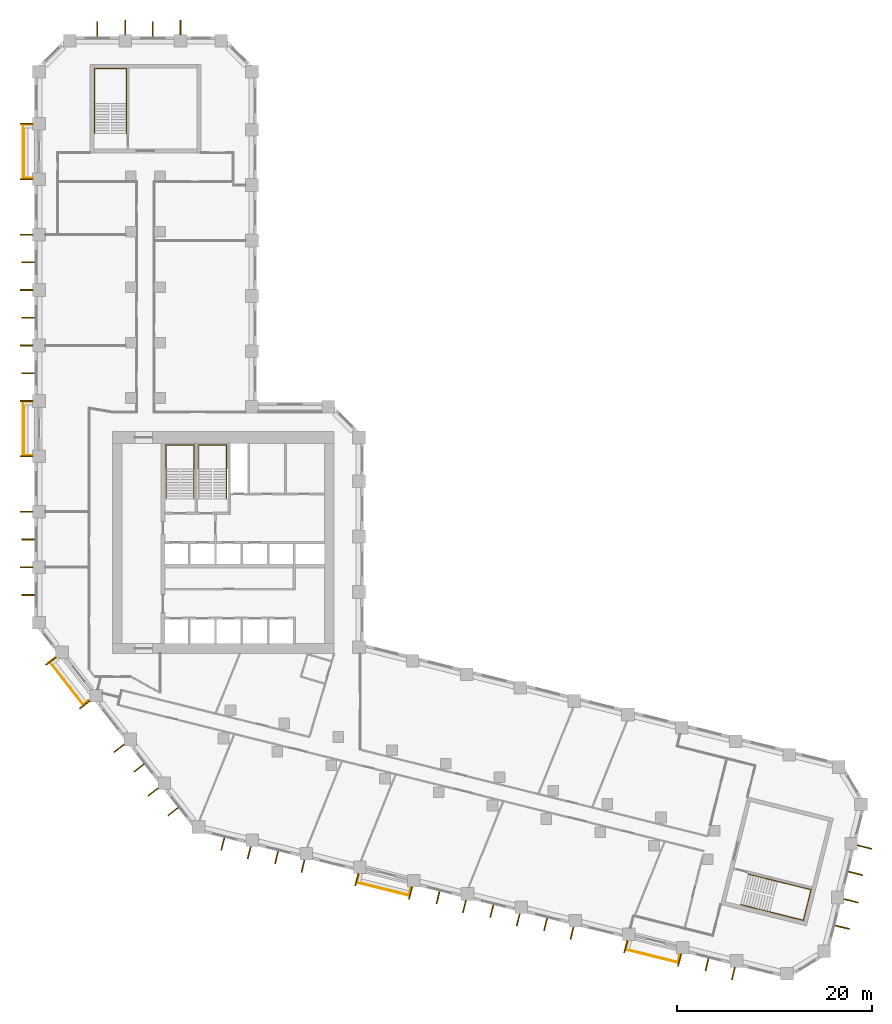
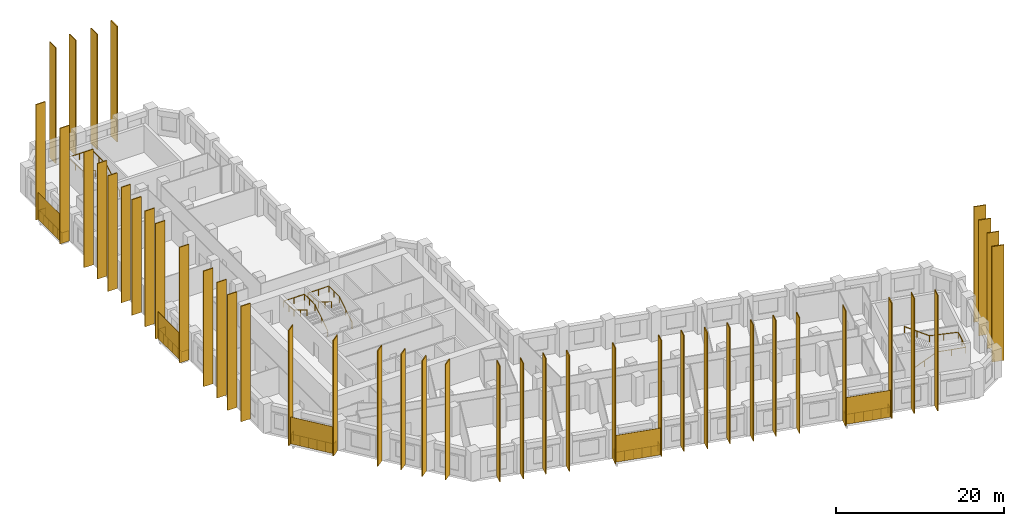
# One storey, part 10 of 10: 49 shading devices, 9 railings.
"""IFC4 building model written with IfcOpenShell, lengths in metres."""

import ifcopenshell
import ifcopenshell.guid

model = None  # the IFC model being written
_history = None  # IfcOwnerHistory: only IFC2X3 demands one
_inside = {}  # id of a spatial element -> (the spatial element, [elements in it])
_under = {}  # id of a project, library or spatial element -> (it, [spatial elements below it])
_declared = {}  # id of a project -> (the project, [libraries it declares])
_typed = {}  # id of a type object -> (the type object, [elements of that type])
_made_of = {}  # id of a material, layer set ... -> (it, [elements and type objects made of it])


def new_model(schema):
    """Start an empty IFC model of exactly this schema.

    Asked for "IFC4X3", IfcOpenShell would pick the latest addendum, in which some entities
    have other attributes; the version numbers below select the first issue.
    IFC2X3 requires an IfcOwnerHistory on every rooted entity: one is made here for all.
    """
    global model, _history
    if schema == "IFC4X3":
        model = ifcopenshell.file(schema_version=(4, 3, 0, 0))
    else:
        model = ifcopenshell.file(schema=schema)
    _inside.clear()
    _under.clear()
    _declared.clear()
    _typed.clear()
    _made_of.clear()
    _history = None
    if model.schema == "IFC2X3":
        org = make("IfcOrganization", Name="unknown")
        user = make(
            "IfcPersonAndOrganization",
            ThePerson=make("IfcPerson", FamilyName="unknown"),
            TheOrganization=org,
        )
        app = make(
            "IfcApplication",
            ApplicationDeveloper=org,
            Version="unknown",
            ApplicationFullName="unknown",
            ApplicationIdentifier="unknown",
        )
        _history = make(
            "IfcOwnerHistory",
            OwningUser=user,
            OwningApplication=app,
            ChangeAction="ADDED",
            CreationDate=0,
        )
    return model


def make(cls, **values):
    """One entity of the class cls with the attributes given. An attribute that is None is left unset."""
    return model.create_entity(
        cls, **{name: value for name, value in values.items() if value is not None}
    )


def rooted(cls, **values):
    """An entity with a GlobalId (a new one), such as an element, a storey or a relation."""
    return make(cls, GlobalId=ifcopenshell.guid.new(), OwnerHistory=_history, **values)


def si_unit(unit_type, name, prefix=None):
    """IfcSIUnit, for example si_unit("LENGTHUNIT", "METRE", prefix="MILLI")."""
    return make("IfcSIUnit", UnitType=unit_type, Prefix=prefix, Name=name)


def assignment(units):
    """IfcUnitAssignment: the units of a project."""
    return None if units is None else make("IfcUnitAssignment", Units=units)


def point(xyz):
    """IfcCartesianPoint."""
    return None if xyz is None else make("IfcCartesianPoint", Coordinates=xyz)


def direction(xyz):
    """IfcDirection."""
    return None if xyz is None else make("IfcDirection", DirectionRatios=xyz)


def frame(location, z_axis=None, x_axis=None):
    """IfcAxis2Placement3D, a coordinate frame: its origin and axes. An axis left out is left unset."""
    return make(
        "IfcAxis2Placement3D",
        Location=point(location),
        Axis=direction(z_axis),
        RefDirection=direction(x_axis),
    )


def frame_2d(location, x_axis=None):
    """IfcAxis2Placement2D, a coordinate frame in the plane: its origin and x axis."""
    return make(
        "IfcAxis2Placement2D", Location=point(location), RefDirection=direction(x_axis)
    )


def origin():
    """The frame at (0, 0, 0) with its axes left unset."""
    return frame((0.0, 0.0, 0.0))


def origin_2d():
    """The frame at (0, 0) in the plane with its x axis left unset."""
    return frame_2d((0.0, 0.0))


def place(relative_to, where):
    """IfcLocalPlacement: puts the frame where relative to a parent placement (None: the world)."""
    return make(
        "IfcLocalPlacement", PlacementRelTo=relative_to, RelativePlacement=where
    )


def context(
    kind, dimensions, precision=None, world=None, true_north=None, identifier=None
):
    """IfcGeometricRepresentationContext, for example the 3D "Model" context."""
    return make(
        "IfcGeometricRepresentationContext",
        ContextIdentifier=identifier,
        ContextType=kind,
        CoordinateSpaceDimension=dimensions,
        Precision=precision,
        WorldCoordinateSystem=world,
        TrueNorth=true_north,
    )


def subcontext(parent, identifier, kind, view, scale=None):
    """IfcGeometricRepresentationSubContext, for example "Body" below "Model"."""
    return make(
        "IfcGeometricRepresentationSubContext",
        ContextIdentifier=identifier,
        ContextType=kind,
        ParentContext=parent,
        TargetScale=scale,
        TargetView=view,
    )


def project(units=None, contexts=None):
    """IfcProject with its units and contexts."""
    return rooted(
        "IfcProject",
        Name="project",
        RepresentationContexts=contexts,
        UnitsInContext=assignment(units),
    )


def spatial(cls, under=None, at=None, **own):
    """A site, building, storey or space (cls), placed at a placement, below another one or the project."""
    s = rooted(cls, ObjectPlacement=at, **own)
    if under is not None:
        _under.setdefault(under.id(), (under, []))[1].append(s)
    return s


def profile(cls, at=None, kind="AREA", **sizes):
    """A parametric profile (cls). Its sizes go by their IFC names, for example OverallWidth=200.0."""
    return make(cls, ProfileType=kind, Position=at, **sizes)


def rectangle(**sizes):
    """IfcRectangleProfileDef."""
    return profile("IfcRectangleProfileDef", **sizes)


def circle(**sizes):
    """IfcCircleProfileDef."""
    return profile("IfcCircleProfileDef", **sizes)


def extrude(swept, where, along, depth):
    """IfcExtrudedAreaSolid: the profile swept, set in the frame where, extruded along a direction by depth."""
    return make(
        "IfcExtrudedAreaSolid",
        SweptArea=swept,
        Position=where,
        ExtrudedDirection=direction(along),
        Depth=depth,
    )


def shape(context_of_items, identifier, shape_type, items):
    """IfcShapeRepresentation: the items that make up one representation, for example the "Body"."""
    return make(
        "IfcShapeRepresentation",
        ContextOfItems=context_of_items,
        RepresentationIdentifier=identifier,
        RepresentationType=shape_type,
        Items=items,
    )


def material(Name=None, Category=None):
    """IfcMaterial."""
    return make("IfcMaterial", Name=Name, Category=Category)


def layer(
    of_material, thickness, ventilated=None, Name=None, Category=None, Priority=None
):
    """IfcMaterialLayer: one layer of a wall or slab, of a material (None: an air gap)."""
    return make(
        "IfcMaterialLayer",
        Material=of_material,
        LayerThickness=thickness,
        IsVentilated=ventilated,
        Name=Name,
        Category=Category,
        Priority=Priority,
    )


def layer_set(layers, Name=None):
    """IfcMaterialLayerSet."""
    return make("IfcMaterialLayerSet", MaterialLayers=layers, LayerSetName=Name)


def made_of(thing, what):
    """Note that an element or type object is made of a material, layer set ...; save() writes the relation."""
    if what is not None:
        _made_of.setdefault(what.id(), (what, []))[1].append(thing)
    return thing


def type_object(cls, material=None, **own):
    """A type object (cls), such as IfcWallType, which elements share."""
    return made_of(rooted(cls, **own), material)


def element(
    cls,
    number,
    at=None,
    inside=None,
    cuts=None,
    type_object=None,
    material=None,
    context=None,
    identifier="Body",
    shape_type=None,
    held_by="IfcProductDefinitionShape",
    body=None,
    shapes=None,
    **own,
):
    """One element of the class cls, such as IfcWall. Its Tag is "e" and its number.

    at: its placement. inside: the storey or other place that contains it. cuts: it is an
    opening in that element (IfcRelVoidsElement). A single representation is given by context,
    identifier, shape_type and body (its items); several are given by shapes. held_by: the class
    of the entity that holds the representations. save() writes the other relations.
    """
    e = rooted(cls, Tag="e%d" % number, ObjectPlacement=at, **own)
    if body is not None:
        shapes = [shape(context, identifier, shape_type, body)]
    if shapes is not None:
        e.Representation = make(held_by, Representations=shapes)
    if inside is not None:
        _inside.setdefault(inside.id(), (inside, []))[1].append(e)
    if cuts is not None:
        rooted(
            "IfcRelVoidsElement", RelatingBuildingElement=cuts, RelatedOpeningElement=e
        )
    if type_object is not None:
        _typed.setdefault(type_object.id(), (type_object, []))[1].append(e)
    return made_of(e, material)


def aggregate(whole, parts):
    """IfcRelAggregates: a whole, such as a stair, and the parts it consists of."""
    return rooted("IfcRelAggregates", RelatingObject=whole, RelatedObjects=parts)


def save(model, path):
    """Write the relations noted so far, then the file.

    IfcRelAggregates (storeys below a building ...), IfcRelContainedInSpatialStructure (elements
    in a storey), IfcRelDefinesByType, IfcRelAssociatesMaterial and IfcRelDeclares: one each for
    every whole, place, type object, material and project.
    """
    for whole, parts in _under.values():
        aggregate(whole, parts)
    for where, things in _inside.values():
        rooted(
            "IfcRelContainedInSpatialStructure",
            RelatedElements=things,
            RelatingStructure=where,
        )
    for kind, things in _typed.values():
        rooted("IfcRelDefinesByType", RelatedObjects=things, RelatingType=kind)
    for what, things in _made_of.values():
        rooted("IfcRelAssociatesMaterial", RelatedObjects=things, RelatingMaterial=what)
    for by, libraries in _declared.values():
        rooted("IfcRelDeclares", RelatingContext=by, RelatedDefinitions=libraries)
    model.write(path)


model = new_model("IFC4")

# Units and contexts
model_context = context("Model", 3, precision=1e-05, world=origin(), true_north=direction((0.0, 1.0)))
body_context = subcontext(model_context, "Body", "Model", "MODEL_VIEW")
ifc_project = project(units=[si_unit("LENGTHUNIT", "METRE"), si_unit("AREAUNIT", "SQUARE_METRE"), si_unit("VOLUMEUNIT", "CUBIC_METRE"), si_unit("PLANEANGLEUNIT", "RADIAN"), si_unit("MASSUNIT", "GRAM", prefix="KILO")], contexts=[model_context])

# Site, building, storey
site_placement = place(None, origin())
site = spatial("IfcSite", under=ifc_project, at=site_placement, CompositionType="ELEMENT")
building_placement = place(site_placement, origin())
building = spatial("IfcBuilding", under=site, at=building_placement, Name="Meshkara Civic Tower", CompositionType="ELEMENT")
storey_placement = place(building_placement, frame((0.0, 0.0, 130.800048828125)))
storey = spatial("IfcBuildingStorey", under=building, at=storey_placement, Name="L29", CompositionType="ELEMENT", Elevation=130.800048828125)

# Railings
ifc_material_1 = material(Name="Steel S355", Category="steel")
railing_type_1 = type_object("IfcRailingType", Name="BALUSTRADE GUARD 1400", PredefinedType="BALUSTRADE", material=ifc_material_1)
for number, where, name in (
    (1, (-0.199951171875, 68.43505859375, 0.0), "Balcony guard"),
    (2, (-0.199951171875, 39.93505859375, 0.0), "Balcony guard"),
):
    element("IfcRailing", number, at=place(storey_placement, frame(where)), inside=storey, type_object=railing_type_1, Name=name, PredefinedType="BALUSTRADE", context=body_context, shape_type="SweptSolid", body=[
        extrude(circle(Radius=0.02392578125, at=origin_2d()), frame((0.0, 0.0, 1.3759765625), z_axis=(-1.0, 0.0, 0.0), x_axis=(0.0, -1.0, 0.0)), (0.0, 0.0, 1.0), 0.91015625),
        extrude(circle(Radius=0.02392578125, at=origin_2d()), frame((-0.91015625, 0.0, 1.3759765625), z_axis=(0.0, -1.0, 0.0), x_axis=(1.0, 0.0, 0.0)), (0.0, 0.0, 1.0), 5.4599609375),
        extrude(circle(Radius=0.02392578125, at=origin_2d()), frame((-0.91015625, -5.4599609375, 1.3759765625), z_axis=(1.0, 0.0, 0.0), x_axis=(0.0, 1.0, 0.0)), (0.0, 0.0, 1.0), 0.91015625),
        extrude(circle(Radius=0.02099609375, at=origin_2d()), origin(), (0.0, 0.0, 1.0), 1.351806640625),
        extrude(circle(Radius=0.02099609375, at=origin_2d()), frame((-0.91015625, 0.0, 0.0)), (0.0, 0.0, 1.0), 1.351806640625),
        extrude(circle(Radius=0.02099609375, at=origin_2d()), frame((-0.91015625, -1.092041015625, 0.0)), (0.0, 0.0, 1.0), 1.351806640625),
        extrude(circle(Radius=0.02099609375, at=origin_2d()), frame((-0.91015625, -2.18408203125, 0.0)), (0.0, 0.0, 1.0), 1.351806640625),
        extrude(circle(Radius=0.02099609375, at=origin_2d()), frame((-0.91015625, -3.27587890625, 0.0)), (0.0, 0.0, 1.0), 1.351806640625),
        extrude(circle(Radius=0.02099609375, at=origin_2d()), frame((-0.91015625, -4.367919921875, 0.0)), (0.0, 0.0, 1.0), 1.351806640625),
        extrude(circle(Radius=0.02099609375, at=origin_2d()), frame((-0.91015625, -5.4599609375, 0.0)), (0.0, 0.0, 1.0), 1.351806640625),
        extrude(circle(Radius=0.02099609375, at=origin_2d()), frame((0.0, -5.4599609375, 0.0)), (0.0, 0.0, 1.0), 1.351806640625),
    ])
railing_1_placement = place(storey_placement, frame((2.1689453125, 13.572998046875, 0.0)))
element("IfcRailing", 3, at=railing_1_placement, inside=storey, type_object=railing_type_1, Name="Balcony guard", PredefinedType="BALUSTRADE", context=body_context, shape_type="SweptSolid", body=[
    extrude(circle(Radius=0.02392578125, at=origin_2d()), frame((0.0, 0.0, 1.3759765625), z_axis=(-0.787664106231, -0.616104906453, 0.0), x_axis=(0.616104906453, -0.787664106231, 0.0)), (0.0, 0.0, 1.0), 0.6474609375),
    extrude(circle(Radius=0.02392578125, at=origin_2d()), frame((-0.510009765625, -0.39892578125, 1.3759765625), z_axis=(0.615573755741, -0.788079279795, 0.0), x_axis=(0.788079279795, 0.615573755741, 0.0)), (0.0, 0.0, 1.0), 5.460205078125),
    extrude(circle(Radius=0.02392578125, at=origin_2d()), frame((2.85107421875, -4.701904296875, 1.3759765625), z_axis=(0.788235582762, 0.615373598774, 0.0), x_axis=(-0.615373598774, 0.788235582762, 0.0)), (0.0, 0.0, 1.0), 0.648193359375),
    extrude(circle(Radius=0.02099609375, at=origin_2d()), origin(), (0.0, 0.0, 1.0), 1.351806640625),
    extrude(circle(Radius=0.02099609375, at=origin_2d()), frame((-0.510009765625, -0.39892578125, 0.0)), (0.0, 0.0, 1.0), 1.351806640625),
    extrude(circle(Radius=0.02099609375, at=origin_2d()), frame((0.162109375, -1.259521484375, 0.0)), (0.0, 0.0, 1.0), 1.351806640625),
    extrude(circle(Radius=0.02099609375, at=origin_2d()), frame((0.83447265625, -2.1201171875, 0.0)), (0.0, 0.0, 1.0), 1.351806640625),
    extrude(circle(Radius=0.02099609375, at=origin_2d()), frame((1.506591796875, -2.980712890625, 0.0)), (0.0, 0.0, 1.0), 1.351806640625),
    extrude(circle(Radius=0.02099609375, at=origin_2d()), frame((2.178955078125, -3.84130859375, 0.0)), (0.0, 0.0, 1.0), 1.351806640625),
    extrude(circle(Radius=0.02099609375, at=origin_2d()), frame((2.85107421875, -4.701904296875, 0.0)), (0.0, 0.0, 1.0), 1.351806640625),
    extrude(circle(Radius=0.02099609375, at=origin_2d()), frame((3.362060546875, -4.302978515625, 0.0)), (0.0, 0.0, 1.0), 1.351806640625),
])
railing_2_placement = place(storey_placement, frame((33.368896484375, -8.66796875, 0.0)))
element("IfcRailing", 4, at=railing_2_placement, inside=storey, type_object=railing_type_1, Name="Balcony guard", PredefinedType="BALUSTRADE", context=body_context, shape_type="SweptSolid", body=[
    extrude(circle(Radius=0.02392578125, at=origin_2d()), frame((0.0, 0.0, 1.3759765625), z_axis=(-0.242237978263, -0.970216863329, 0.0), x_axis=(0.970216863329, -0.242237978263, 0.0)), (0.0, 0.0, 1.0), 0.77197265625),
    extrude(circle(Radius=0.02392578125, at=origin_2d()), frame((-0.18701171875, -0.7490234375, 1.3759765625), z_axis=(0.970292231073, -0.24193591366, 0.0), x_axis=(0.24193591366, 0.970292231073, 0.0)), (0.0, 0.0, 1.0), 5.460205078125),
    extrude(circle(Radius=0.02392578125, at=origin_2d()), frame((5.111083984375, -2.070068359375, 1.3759765625), z_axis=(0.242237978263, 0.970216863329, 0.0), x_axis=(-0.970216863329, 0.242237978263, 0.0)), (0.0, 0.0, 1.0), 0.77197265625),
    extrude(circle(Radius=0.02099609375, at=origin_2d()), origin(), (0.0, 0.0, 1.0), 1.351806640625),
    extrude(circle(Radius=0.02099609375, at=origin_2d()), frame((-0.18701171875, -0.7490234375, 0.0)), (0.0, 0.0, 1.0), 1.351806640625),
    extrude(circle(Radius=0.02099609375, at=origin_2d()), frame((0.87255859375, -1.01318359375, 0.0)), (0.0, 0.0, 1.0), 1.351806640625),
    extrude(circle(Radius=0.02099609375, at=origin_2d()), frame((1.93212890625, -1.27734375, 0.0)), (0.0, 0.0, 1.0), 1.351806640625),
    extrude(circle(Radius=0.02099609375, at=origin_2d()), frame((2.991943359375, -1.541748046875, 0.0)), (0.0, 0.0, 1.0), 1.351806640625),
    extrude(circle(Radius=0.02099609375, at=origin_2d()), frame((4.051513671875, -1.805908203125, 0.0)), (0.0, 0.0, 1.0), 1.351806640625),
    extrude(circle(Radius=0.02099609375, at=origin_2d()), frame((5.111083984375, -2.070068359375, 0.0)), (0.0, 0.0, 1.0), 1.351806640625),
    extrude(circle(Radius=0.02099609375, at=origin_2d()), frame((5.298095703125, -1.321044921875, 0.0)), (0.0, 0.0, 1.0), 1.351806640625),
])
railing_3_placement = place(storey_placement, frame((61.02294921875, -15.56298828125, 0.0)))
element("IfcRailing", 5, at=railing_3_placement, inside=storey, type_object=railing_type_1, Name="Balcony guard", PredefinedType="BALUSTRADE", context=body_context, shape_type="SweptSolid", body=[
    extrude(circle(Radius=0.02392578125, at=origin_2d()), frame((0.0, 0.0, 1.3759765625), z_axis=(-0.242237978263, -0.970216863329, 0.0), x_axis=(0.970216863329, -0.242237978263, 0.0)), (0.0, 0.0, 1.0), 0.77197265625),
    extrude(circle(Radius=0.02392578125, at=origin_2d()), frame((-0.18701171875, -0.7490234375, 1.3759765625), z_axis=(0.970323745377, -0.241809489388, 0.0), x_axis=(0.241809489388, 0.970323745377, 0.0)), (0.0, 0.0, 1.0), 5.459228515625),
    extrude(circle(Radius=0.02392578125, at=origin_2d()), frame((5.110107421875, -2.069091796875, 1.3759765625), z_axis=(0.242237978263, 0.970216863329, 0.0), x_axis=(-0.970216863329, 0.242237978263, 0.0)), (0.0, 0.0, 1.0), 0.77197265625),
    extrude(circle(Radius=0.02099609375, at=origin_2d()), origin(), (0.0, 0.0, 1.0), 1.351806640625),
    extrude(circle(Radius=0.02099609375, at=origin_2d()), frame((-0.18701171875, -0.7490234375, 0.0)), (0.0, 0.0, 1.0), 1.351806640625),
    extrude(circle(Radius=0.02099609375, at=origin_2d()), frame((0.872314453125, -1.012939453125, 0.0)), (0.0, 0.0, 1.0), 1.351806640625),
    extrude(circle(Radius=0.02099609375, at=origin_2d()), frame((1.931884765625, -1.277099609375, 0.0)), (0.0, 0.0, 1.0), 1.351806640625),
    extrude(circle(Radius=0.02099609375, at=origin_2d()), frame((2.9912109375, -1.541015625, 0.0)), (0.0, 0.0, 1.0), 1.351806640625),
    extrude(circle(Radius=0.02099609375, at=origin_2d()), frame((4.05078125, -1.80517578125, 0.0)), (0.0, 0.0, 1.0), 1.351806640625),
    extrude(circle(Radius=0.02099609375, at=origin_2d()), frame((5.110107421875, -2.069091796875, 0.0)), (0.0, 0.0, 1.0), 1.351806640625),
    extrude(circle(Radius=0.02099609375, at=origin_2d()), frame((5.297119140625, -1.320068359375, 0.0)), (0.0, 0.0, 1.0), 1.351806640625),
])

# Shading devices
ifc_material_2 = material(Name="Bronze anodised aluminium", Category="aluminium")
ifc_layer_1 = layer(ifc_material_2, 0.1201171875)
ifc_layer_set_1 = layer_set([ifc_layer_1], Name="BRONZE FIN 1300")
shading_device_type_1 = type_object("IfcShadingDeviceType", Name="BRONZE FIN 1300", PredefinedType="USERDEFINED", material=ifc_layer_set_1)
for number, where, z_axis, x_axis, name in (
    (6, (-0.85009765625, 68.554931640625, 0.0), (0.0, 0.0, 1.0), (0.0, -1.0, 0.0), "Fin"),
    (7, (-0.85009765625, 62.85498046875, 0.0), (0.0, 0.0, 1.0), (0.0, -1.0, 0.0), "Fin"),
    (8, (-0.85009765625, 57.155029296875, 0.0), (0.0, 0.0, 1.0), (0.0, -1.0, 0.0), "Fin"),
    (9, (-0.64990234375, 54.304931640625, 0.0), (0.0, 0.0, 1.0), (0.0, -1.0, 0.0), "Fin"),
    (10, (-0.85009765625, 51.455078125, 0.0), (0.0, 0.0, 1.0), (0.0, -1.0, 0.0), "Fin"),
    (11, (-0.64990234375, 48.60498046875, 0.0), (0.0, 0.0, 1.0), (0.0, -1.0, 0.0), "Fin"),
    (12, (-0.85009765625, 45.7548828125, 0.0), (0.0, 0.0, 1.0), (0.0, -1.0, 0.0), "Fin"),
    (13, (-0.64990234375, 42.905029296875, 0.0), (0.0, 0.0, 1.0), (0.0, -1.0, 0.0), "Fin"),
    (14, (-0.85009765625, 40.054931640625, 0.0), (0.0, 0.0, 1.0), (0.0, -1.0, 0.0), "Fin"),
    (15, (-0.85009765625, 34.35498046875, 0.0), (0.0, 0.0, 1.0), (0.0, -1.0, 0.0), "Fin"),
    (16, (-0.85009765625, 28.655029296875, 0.0), (0.0, 0.0, 1.0), (0.0, -1.0, 0.0), "Fin"),
    (17, (-0.64990234375, 25.804931640625, 0.0), (0.0, 0.0, 1.0), (0.0, -1.0, 0.0), "Fin"),
    (18, (-0.85009765625, 22.955078125, 0.0), (0.0, 0.0, 1.0), (0.0, -1.0, 0.0), "Fin"),
    (19, (-0.64990234375, 20.10498046875, 0.0), (0.0, 0.0, 1.0), (0.0, -1.0, 0.0), "Fin"),
    (20, (1.652099609375, 13.321044921875, 0.0), (0.0, 0.0, 1.0), (0.615661475326, -0.788010753607, 0.0), "Fin"),
    (21, (5.160888671875, 8.8291015625, 0.0), (0.0, 0.0, 1.0), (0.615661475326, -0.788010753607, 0.0), "Fin"),
    (22, (8.6708984375, 4.3369140625, 0.0), (0.0, 0.0, 1.0), (0.615661475326, -0.788010753607, 0.0), "Fin"),
    (23, (10.720947265625, 2.322021484375, 0.0), (0.0, 0.0, 1.0), (0.615661475326, -0.788010753607, 0.0), "Fin"),
    (24, (12.179931640625, -0.154052734375, 0.0), (0.0, 0.0, 1.0), (0.615661475326, -0.788010753607, 0.0), "Fin"),
    (25, (14.22998046875, -2.1689453125, 0.0), (0.0, 0.0, 1.0), (0.615661475326, -0.788010753607, 0.0), "Fin"),
    (26, (19.35009765625, -5.4951171875, 0.0), (0.0, 0.0, 1.0), (0.970299948462, -0.241904960708, 0.0), "Fin"),
    (27, (22.06298828125, -6.39794921875, 0.0), (0.0, 0.0, 1.0), (0.970299948462, -0.241904960708, 0.0), "Fin"),
    (28, (24.881103515625, -6.873046875, 0.0), (0.0, 0.0, 1.0), (0.970299948462, -0.241904960708, 0.0), "Fin"),
    (29, (27.593017578125, -7.777099609375, 0.0), (0.0, 0.0, 1.0), (0.970299948462, -0.241904960708, 0.0), "Fin"),
    (30, (33.1240234375, -9.156005859375, 0.0), (0.0, 0.0, 1.0), (0.970299948462, -0.241904960708, 0.0), "Fin"),
    (31, (38.655029296875, -10.533935546875, 0.0), (0.0, 0.0, 1.0), (0.970299948462, -0.241904960708, 0.0), "Fin"),
    (32, (41.472900390625, -11.010009765625, 0.0), (0.0, 0.0, 1.0), (0.970299948462, -0.241904960708, 0.0), "Fin"),
    (33, (44.18603515625, -11.9130859375, 0.0), (0.0, 0.0, 1.0), (0.970299948462, -0.241904960708, 0.0), "Fin"),
    (34, (47.00390625, -12.388916015625, 0.0), (0.0, 0.0, 1.0), (0.970299948462, -0.241904960708, 0.0), "Fin"),
    (35, (49.716064453125, -13.2919921875, 0.0), (0.0, 0.0, 1.0), (0.970299948462, -0.241904960708, 0.0), "Fin"),
    (36, (52.533935546875, -13.76806640625, 0.0), (0.0, 0.0, 1.0), (0.970299948462, -0.241904960708, 0.0), "Fin"),
    (37, (55.2470703125, -14.6708984375, 0.0), (0.0, 0.0, 1.0), (0.970299948462, -0.241904960708, 0.0), "Fin"),
    (38, (60.778076171875, -16.050048828125, 0.0), (0.0, 0.0, 1.0), (0.970299948462, -0.241904960708, 0.0), "Fin"),
    (39, (66.30810546875, -17.428955078125, 0.0), (0.0, 0.0, 1.0), (0.970299948462, -0.241904960708, 0.0), "Fin"),
    (40, (69.1259765625, -17.905029296875, 0.0), (0.0, 0.0, 1.0), (0.970299948462, -0.241904960708, 0.0), "Fin"),
    (41, (71.839111328125, -18.80810546875, 0.0), (0.0, 0.0, 1.0), (0.970299948462, -0.241904960708, 0.0), "Fin"),
):
    element("IfcShadingDevice", number, at=place(storey_placement, frame(where, z_axis=z_axis, x_axis=x_axis)), inside=storey, type_object=shading_device_type_1, Name=name, ObjectType="FIN", PredefinedType="USERDEFINED", context=body_context, shape_type="SweptSolid", body=[
        extrude(rectangle(XDim=0.1201171875, YDim=1.300048828125, at=origin_2d()), origin(), (0.0, 0.0, 1.0), 16.800048828125),
    ])
ifc_material_3 = material(Name="Bronze anodised aluminium", Category="aluminium")
ifc_layer_2 = layer(ifc_material_3, 0.1201171875)
ifc_layer_set_2 = layer_set([ifc_layer_2], Name="BRONZE FIN 1500")
shading_device_type_2 = type_object("IfcShadingDeviceType", Name="BRONZE FIN 1500", PredefinedType="USERDEFINED", material=ifc_layer_set_2)
for number, where, z_axis, x_axis, name in (
    (42, (15.006103515625, 78.469970703125, 0.0), (0.0, 0.0, 1.0), (-1.0, 0.0, 0.0), "Fin"),
    (43, (12.156005859375, 78.27001953125, 0.0), (0.0, 0.0, 1.0), (-1.0, 0.0, 0.0), "Fin"),
    (44, (9.305908203125, 78.469970703125, 0.0), (0.0, 0.0, 1.0), (-1.0, 0.0, 0.0), "Fin"),
    (45, (6.4560546875, 78.27001953125, 0.0), (0.0, 0.0, 1.0), (-1.0, 0.0, 0.0), "Fin"),
    (46, (83.037109375, -14.049072265625, 0.0), (0.0, 0.0, 1.0), (0.2419218956, 0.970295726276, 0.0), "Fin"),
    (47, (83.93994140625, -11.3359375, 0.0), (0.0, 0.0, 1.0), (0.2419218956, 0.970295726276, 0.0), "Fin"),
    (48, (84.416015625, -8.51806640625, 0.0), (0.0, 0.0, 1.0), (0.2419218956, 0.970295726276, 0.0), "Fin"),
    (49, (85.319091796875, -5.805908203125, 0.0), (0.0, 0.0, 1.0), (0.2419218956, 0.970295726276, 0.0), "Fin"),
):
    element("IfcShadingDevice", number, at=place(storey_placement, frame(where, z_axis=z_axis, x_axis=x_axis)), inside=storey, type_object=shading_device_type_2, Name=name, ObjectType="FIN", PredefinedType="USERDEFINED", context=body_context, shape_type="SweptSolid", body=[
        extrude(rectangle(XDim=0.1201171875, YDim=1.5, at=origin_2d()), origin(), (0.0, 0.0, 1.0), 16.800048828125),
    ])
ifc_material_4 = material(Name="Perforated bronze anodised aluminium sheet", Category="aluminium")
ifc_layer_3 = layer(ifc_material_4, 0.0400390625)
ifc_layer_set_3 = layer_set([ifc_layer_3], Name="PERFORATED BRONZE SCREEN")
shading_device_type_3 = type_object("IfcShadingDeviceType", Name="PERFORATED BRONZE SCREEN", PredefinedType="USERDEFINED", material=ifc_layer_set_3)
for number, where, z_axis, x_axis, name in (
    (50, (-1.179931640625, 65.705078125, 0.0), (0.0, 0.0, 1.0), (0.0, -1.0, 0.0), "Balcony screen"),
    (51, (-1.179931640625, 37.205078125, 0.0), (0.0, 0.0, 1.0), (0.0, -1.0, 0.0), "Balcony screen"),
    (52, (3.283935546875, 10.97998046875, 0.0), (0.0, 0.0, 1.0), (0.615661475326, -0.788010753607, 0.0), "Balcony screen"),
    (53, (35.81396484375, -10.14599609375, 0.0), (0.0, 0.0, 1.0), (0.970299948462, -0.241904960708, 0.0), "Balcony screen"),
):
    element("IfcShadingDevice", number, at=place(storey_placement, frame(where, z_axis=z_axis, x_axis=x_axis)), inside=storey, type_object=shading_device_type_3, Name=name, ObjectType="SCREEN", PredefinedType="USERDEFINED", context=body_context, shape_type="SweptSolid", body=[
        extrude(rectangle(XDim=5.580078125, YDim=0.0400390625, at=origin_2d()), origin(), (0.0, 0.0, 1.0), 3.89990234375),
    ])
shading_device_placement = place(storey_placement, frame((63.468017578125, -17.0400390625, 0.0), z_axis=(0.0, 0.0, 1.0), x_axis=(0.970299948462, -0.241904960708, 0.0)))
element("IfcShadingDevice", 54, at=shading_device_placement, inside=storey, type_object=shading_device_type_3, Name="Balcony screen", ObjectType="SCREEN", PredefinedType="USERDEFINED", context=body_context, shape_type="SweptSolid", body=[
    extrude(rectangle(XDim=5.5791015625, YDim=0.0400390625, at=origin_2d()), origin(), (0.0, 0.0, 1.0), 3.89990234375),
])

# Railings
ifc_material_5 = material(Name="Steel handrail", Category="steel")
railing_type_2 = type_object("IfcRailingType", Name="Stair handrail 900", PredefinedType="HANDRAIL", material=ifc_material_5)
railing_4_placement = place(storey_placement, frame((16.375, 30.0, 0.175048828125)))
element("IfcRailing", 55, at=railing_4_placement, inside=storey, type_object=railing_type_2, Name="L29 ST1 stair handrail 1", PredefinedType="HANDRAIL", context=body_context, shape_type="SweptSolid", body=[
    extrude(circle(Radius=0.02392578125, at=origin_2d()), frame((0.0, 0.0, 0.8759765625), z_axis=(0.0, 0.848028513186, 0.529950602248), x_axis=(-1.0, 0.0, 0.0)), (0.0, 0.0, 1.0), 3.632080078125),
    extrude(circle(Radius=0.02392578125, at=origin_2d()), frame((0.0, 3.080078125, 2.80078125), z_axis=(0.0, 1.0, 0.0), x_axis=(-1.0, 0.0, 0.0)), (0.0, 0.0, 1.0), 2.469970703125),
    extrude(circle(Radius=0.02392578125, at=origin_2d()), frame((0.0, 5.550048828125, 2.80078125), z_axis=(-1.0, 0.0, 0.0), x_axis=(0.0, -1.0, 0.0)), (0.0, 0.0, 1.0), 2.85009765625),
    extrude(circle(Radius=0.02392578125, at=origin_2d()), frame((-2.85009765625, 5.550048828125, 2.80078125), z_axis=(0.0, -0.997498084828, 0.070693498747), x_axis=(1.0, 0.0, 0.0)), (0.0, 0.0, 1.0), 2.47607421875),
    extrude(circle(Radius=0.02392578125, at=origin_2d()), frame((-2.85009765625, 3.080078125, 2.9755859375), z_axis=(0.0, -0.847998304005, 0.529998940003), x_axis=(1.0, 0.0, 0.0)), (0.0, 0.0, 1.0), 3.632080078125),
    extrude(circle(Radius=0.02099609375, at=origin_2d()), origin(), (0.0, 0.0, 1.0), 0.851806640625),
    extrude(circle(Radius=0.02099609375, at=origin_2d()), frame((0.0, 1.5400390625, 0.96240234375)), (0.0, 0.0, 1.0), 0.851806640625),
    extrude(circle(Radius=0.02099609375, at=origin_2d()), frame((0.0, 3.080078125, 1.9248046875)), (0.0, 0.0, 1.0), 0.851806640625),
    extrude(circle(Radius=0.02099609375, at=origin_2d()), frame((0.0, 4.31494140625, 1.9248046875)), (0.0, 0.0, 1.0), 0.851806640625),
    extrude(circle(Radius=0.02099609375, at=origin_2d()), frame((0.0, 5.550048828125, 1.9248046875)), (0.0, 0.0, 1.0), 0.851806640625),
    extrude(circle(Radius=0.02099609375, at=origin_2d()), frame((-1.425048828125, 5.550048828125, 1.9248046875)), (0.0, 0.0, 1.0), 0.851806640625),
    extrude(circle(Radius=0.02099609375, at=origin_2d()), frame((-2.85009765625, 5.550048828125, 1.9248046875)), (0.0, 0.0, 1.0), 0.851806640625),
    extrude(circle(Radius=0.02099609375, at=origin_2d()), frame((-2.85009765625, 4.31494140625, 2.01220703125)), (0.0, 0.0, 1.0), 0.851806640625),
    extrude(circle(Radius=0.02099609375, at=origin_2d()), frame((-2.85009765625, 3.080078125, 2.099853515625)), (0.0, 0.0, 1.0), 0.851806640625),
    extrude(circle(Radius=0.02099609375, at=origin_2d()), frame((-2.85009765625, 1.5400390625, 3.0625)), (0.0, 0.0, 1.0), 0.851806640625),
    extrude(circle(Radius=0.02099609375, at=origin_2d()), frame((-2.85009765625, 0.0, 4.02490234375)), (0.0, 0.0, 1.0), 0.851806640625),
])
railing_5_placement = place(storey_placement, frame((19.72509765625, 30.0, 0.175048828125)))
element("IfcRailing", 56, at=railing_5_placement, inside=storey, type_object=railing_type_2, Name="L29 ST2 stair handrail 1", PredefinedType="HANDRAIL", context=body_context, shape_type="SweptSolid", body=[
    extrude(circle(Radius=0.02392578125, at=origin_2d()), frame((0.0, 0.0, 0.8759765625), z_axis=(0.0, 0.848028513186, 0.529950602248), x_axis=(-1.0, 0.0, 0.0)), (0.0, 0.0, 1.0), 3.632080078125),
    extrude(circle(Radius=0.02392578125, at=origin_2d()), frame((0.0, 3.080078125, 2.80078125), z_axis=(0.0, 1.0, 0.0), x_axis=(-1.0, 0.0, 0.0)), (0.0, 0.0, 1.0), 2.469970703125),
    extrude(circle(Radius=0.02392578125, at=origin_2d()), frame((0.0, 5.550048828125, 2.80078125), z_axis=(-1.0, 0.0, 0.0), x_axis=(0.0, -1.0, 0.0)), (0.0, 0.0, 1.0), 2.85009765625),
    extrude(circle(Radius=0.02392578125, at=origin_2d()), frame((-2.85009765625, 5.550048828125, 2.80078125), z_axis=(0.0, -0.997498084828, 0.070693498747), x_axis=(1.0, 0.0, 0.0)), (0.0, 0.0, 1.0), 2.47607421875),
    extrude(circle(Radius=0.02392578125, at=origin_2d()), frame((-2.85009765625, 3.080078125, 2.9755859375), z_axis=(0.0, -0.847998304005, 0.529998940003), x_axis=(1.0, 0.0, 0.0)), (0.0, 0.0, 1.0), 3.632080078125),
    extrude(circle(Radius=0.02099609375, at=origin_2d()), origin(), (0.0, 0.0, 1.0), 0.851806640625),
    extrude(circle(Radius=0.02099609375, at=origin_2d()), frame((0.0, 1.5400390625, 0.96240234375)), (0.0, 0.0, 1.0), 0.851806640625),
    extrude(circle(Radius=0.02099609375, at=origin_2d()), frame((0.0, 3.080078125, 1.9248046875)), (0.0, 0.0, 1.0), 0.851806640625),
    extrude(circle(Radius=0.02099609375, at=origin_2d()), frame((0.0, 4.31494140625, 1.9248046875)), (0.0, 0.0, 1.0), 0.851806640625),
    extrude(circle(Radius=0.02099609375, at=origin_2d()), frame((0.0, 5.550048828125, 1.9248046875)), (0.0, 0.0, 1.0), 0.851806640625),
    extrude(circle(Radius=0.02099609375, at=origin_2d()), frame((-1.425048828125, 5.550048828125, 1.9248046875)), (0.0, 0.0, 1.0), 0.851806640625),
    extrude(circle(Radius=0.02099609375, at=origin_2d()), frame((-2.85009765625, 5.550048828125, 1.9248046875)), (0.0, 0.0, 1.0), 0.851806640625),
    extrude(circle(Radius=0.02099609375, at=origin_2d()), frame((-2.85009765625, 4.31494140625, 2.01220703125)), (0.0, 0.0, 1.0), 0.851806640625),
    extrude(circle(Radius=0.02099609375, at=origin_2d()), frame((-2.85009765625, 3.080078125, 2.099853515625)), (0.0, 0.0, 1.0), 0.851806640625),
    extrude(circle(Radius=0.02099609375, at=origin_2d()), frame((-2.85009765625, 1.5400390625, 3.0625)), (0.0, 0.0, 1.0), 0.851806640625),
    extrude(circle(Radius=0.02099609375, at=origin_2d()), frame((-2.85009765625, 0.0, 4.02490234375)), (0.0, 0.0, 1.0), 0.851806640625),
])
railing_6_placement = place(storey_placement, frame((9.425048828125, 67.570068359375, 0.175048828125)))
element("IfcRailing", 57, at=railing_6_placement, inside=storey, type_object=railing_type_2, Name="L29 ESA2 stair handrail 1", PredefinedType="HANDRAIL", context=body_context, shape_type="SweptSolid", body=[
    extrude(circle(Radius=0.02392578125, at=origin_2d()), frame((0.0, 0.0, 0.8759765625), z_axis=(0.0, 0.848009633417, 0.529980812513), x_axis=(-1.0, 0.0, 0.0)), (0.0, 0.0, 1.0), 3.6318359375),
    extrude(circle(Radius=0.02392578125, at=origin_2d()), frame((0.0, 3.079833984375, 2.80078125), z_axis=(0.0, 1.0, 0.0), x_axis=(-1.0, 0.0, 0.0)), (0.0, 0.0, 1.0), 3.570068359375),
    extrude(circle(Radius=0.02392578125, at=origin_2d()), frame((0.0, 6.64990234375, 2.80078125), z_axis=(-1.0, 0.0, 0.0), x_axis=(0.0, -1.0, 0.0)), (0.0, 0.0, 1.0), 3.25),
    extrude(circle(Radius=0.02392578125, at=origin_2d()), frame((-3.25, 6.64990234375, 2.80078125), z_axis=(0.0, -0.998800077689, 0.048973511297), x_axis=(1.0, 0.0, 0.0)), (0.0, 0.0, 1.0), 3.574462890625),
    extrude(circle(Radius=0.02392578125, at=origin_2d()), frame((-3.25, 3.079833984375, 2.9755859375), z_axis=(0.0, -0.847979421464, 0.530029150871), x_axis=(1.0, 0.0, 0.0)), (0.0, 0.0, 1.0), 3.632080078125),
    extrude(circle(Radius=0.02099609375, at=origin_2d()), origin(), (0.0, 0.0, 1.0), 0.851806640625),
    extrude(circle(Radius=0.02099609375, at=origin_2d()), frame((0.0, 1.5400390625, 0.96240234375)), (0.0, 0.0, 1.0), 0.851806640625),
    extrude(circle(Radius=0.02099609375, at=origin_2d()), frame((0.0, 3.079833984375, 1.9248046875)), (0.0, 0.0, 1.0), 0.851806640625),
    extrude(circle(Radius=0.02099609375, at=origin_2d()), frame((0.0, 4.86474609375, 1.9248046875)), (0.0, 0.0, 1.0), 0.851806640625),
    extrude(circle(Radius=0.02099609375, at=origin_2d()), frame((0.0, 6.64990234375, 1.9248046875)), (0.0, 0.0, 1.0), 0.851806640625),
    extrude(circle(Radius=0.02099609375, at=origin_2d()), frame((-1.625, 6.64990234375, 1.9248046875)), (0.0, 0.0, 1.0), 0.851806640625),
    extrude(circle(Radius=0.02099609375, at=origin_2d()), frame((-3.25, 6.64990234375, 1.9248046875)), (0.0, 0.0, 1.0), 0.851806640625),
    extrude(circle(Radius=0.02099609375, at=origin_2d()), frame((-3.25, 4.86474609375, 2.01220703125)), (0.0, 0.0, 1.0), 0.851806640625),
    extrude(circle(Radius=0.02099609375, at=origin_2d()), frame((-3.25, 3.079833984375, 2.099853515625)), (0.0, 0.0, 1.0), 0.851806640625),
    extrude(circle(Radius=0.02099609375, at=origin_2d()), frame((-3.25, 1.5400390625, 3.0625)), (0.0, 0.0, 1.0), 0.851806640625),
    extrude(circle(Radius=0.02099609375, at=origin_2d()), frame((-3.25, 0.0, 4.02490234375)), (0.0, 0.0, 1.0), 0.851806640625),
])
railing_7_placement = place(storey_placement, frame((72.587158203125, -11.73388671875, 0.175048828125)))
element("IfcRailing", 58, at=railing_7_placement, inside=storey, type_object=railing_type_2, Name="L29 ESB2 stair handrail 1", PredefinedType="HANDRAIL", context=body_context, shape_type="SweptSolid", body=[
    extrude(circle(Radius=0.02392578125, at=origin_2d()), frame((0.0, 0.0, 0.8759765625), z_axis=(0.822789566377, -0.205294063375, 0.529973279519), x_axis=(0.242087961707, 0.97025430625, 0.0)), (0.0, 0.0, 1.0), 3.6318359375),
    extrude(circle(Radius=0.02392578125, at=origin_2d()), frame((2.98828125, -0.74560546875, 2.80078125), z_axis=(0.97025503065, -0.242085058395, 0.0), x_axis=(0.242085058395, 0.97025503065, 0.0)), (0.0, 0.0, 1.0), 3.570068359375),
    extrude(circle(Radius=0.02392578125, at=origin_2d()), frame((6.4521484375, -1.60986328125, 2.80078125), z_axis=(0.242040676986, 0.970266103027, 0.0), x_axis=(-0.970266103027, 0.242040676986, 0.0)), (0.0, 0.0, 1.0), 3.25),
    extrude(circle(Radius=0.02392578125, at=origin_2d()), frame((7.23876953125, 1.54345703125, 2.80078125), z_axis=(-0.969090793551, 0.241794573525, 0.048973646672), x_axis=(-0.242085058395, -0.97025503065, 0.0)), (0.0, 0.0, 1.0), 3.574462890625),
    extrude(circle(Radius=0.02392578125, at=origin_2d()), frame((3.77490234375, 2.40771484375, 2.9755859375), z_axis=(-0.82276025377, 0.205286749593, 0.530021617727), x_axis=(-0.242087961707, -0.97025430625, 0.0)), (0.0, 0.0, 1.0), 3.632080078125),
    extrude(circle(Radius=0.02099609375, at=origin_2d()), origin(), (0.0, 0.0, 1.0), 0.851806640625),
    extrude(circle(Radius=0.02099609375, at=origin_2d()), frame((1.494140625, -0.372802734375, 0.96240234375)), (0.0, 0.0, 1.0), 0.851806640625),
    extrude(circle(Radius=0.02099609375, at=origin_2d()), frame((2.98828125, -0.74560546875, 1.9248046875)), (0.0, 0.0, 1.0), 0.851806640625),
    extrude(circle(Radius=0.02099609375, at=origin_2d()), frame((4.72021484375, -1.177734375, 1.9248046875)), (0.0, 0.0, 1.0), 0.851806640625),
    extrude(circle(Radius=0.02099609375, at=origin_2d()), frame((6.4521484375, -1.60986328125, 1.9248046875)), (0.0, 0.0, 1.0), 0.851806640625),
    extrude(circle(Radius=0.02099609375, at=origin_2d()), frame((6.845458984375, -0.033203125, 1.9248046875)), (0.0, 0.0, 1.0), 0.851806640625),
    extrude(circle(Radius=0.02099609375, at=origin_2d()), frame((7.23876953125, 1.54345703125, 1.9248046875)), (0.0, 0.0, 1.0), 0.851806640625),
    extrude(circle(Radius=0.02099609375, at=origin_2d()), frame((5.5068359375, 1.9755859375, 2.01220703125)), (0.0, 0.0, 1.0), 0.851806640625),
    extrude(circle(Radius=0.02099609375, at=origin_2d()), frame((3.77490234375, 2.40771484375, 2.099853515625)), (0.0, 0.0, 1.0), 0.851806640625),
    extrude(circle(Radius=0.02099609375, at=origin_2d()), frame((2.28076171875, 2.780517578125, 3.0625)), (0.0, 0.0, 1.0), 0.851806640625),
    extrude(circle(Radius=0.02099609375, at=origin_2d()), frame((0.78662109375, 3.1533203125, 4.02490234375)), (0.0, 0.0, 1.0), 0.851806640625),
])

save(model, "model.ifc")
